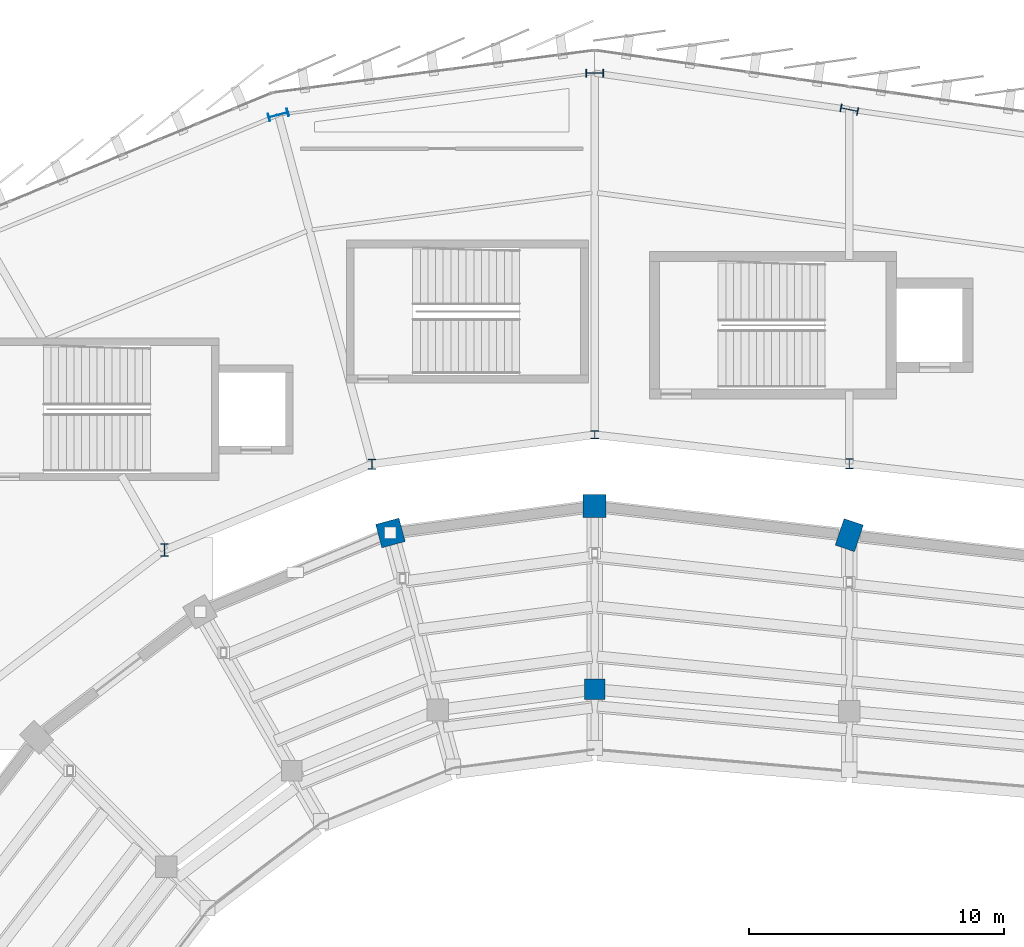
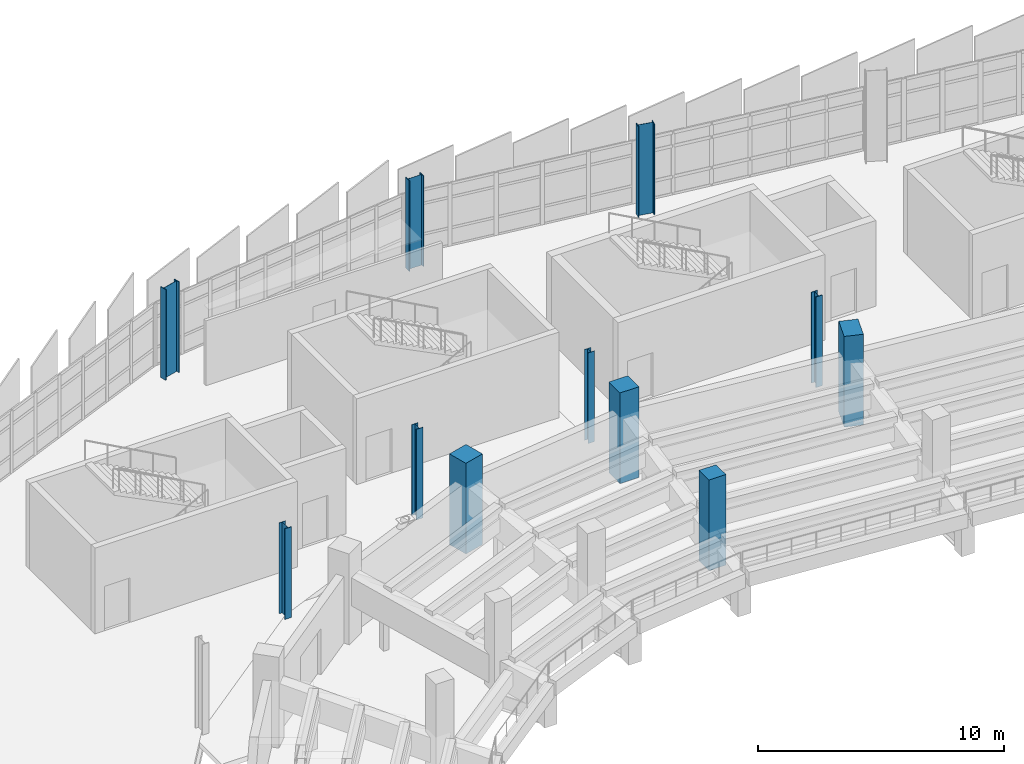
# One storey, part 15 of 120: 11 columns.
"""IFC4 building model written with IfcOpenShell, lengths in metres."""

from ifc_helpers import new_model, si_unit, direction, frame, origin, origin_2d, place, context, subcontext, project, spatial, rectangle, i_section, extrude, material, material_profile, profile_set, type_object, element, save


model = new_model("IFC4")

# Units and contexts
model_context = context("Model", 3, precision=1e-05, world=origin(), true_north=direction((0.0, 1.0)))
body_context = subcontext(model_context, "Body", "Model", "MODEL_VIEW")
ifc_project = project(units=[si_unit("LENGTHUNIT", "METRE"), si_unit("AREAUNIT", "SQUARE_METRE"), si_unit("VOLUMEUNIT", "CUBIC_METRE"), si_unit("PLANEANGLEUNIT", "RADIAN"), si_unit("MASSUNIT", "GRAM", prefix="KILO")], contexts=[model_context])

# Site, building, storey
site_placement = place(None, origin())
site = spatial("IfcSite", under=ifc_project, at=site_placement, CompositionType="ELEMENT")
building_placement = place(site_placement, origin())
building = spatial("IfcBuilding", under=site, at=building_placement, Name="Sohan Crest Arena", CompositionType="ELEMENT")
storey_placement = place(building_placement, frame((0.0, 0.0, 13.5)))
storey = spatial("IfcBuildingStorey", under=building, at=storey_placement, Name="L03", CompositionType="ELEMENT", Elevation=13.5)

# Columns
ifc_material_1 = material(Name="Concrete C40/50", Category="concrete")
ifc_material_profile_1 = material_profile(ifc_material_1, rectangle(XDim=0.800048828125, YDim=0.800048828125, at=origin_2d()), Name="RC 800x800")
ifc_profile_set_1 = profile_set([ifc_material_profile_1], Name="Concrete C40/50")
column_type_1 = type_object("IfcColumnType", Name="STR-COL-C05", PredefinedType="COLUMN", material=ifc_profile_set_1)
column_1_placement = place(storey_placement, frame((98.0, 101.800048828125, 0.0), z_axis=(0.0, 0.0, 1.0), x_axis=(1.0, 0.0, 0.0)))
element("IfcColumn", 1, at=column_1_placement, inside=storey, type_object=column_type_1, Name="Structural column COL-V1M-01-L03", PredefinedType="COLUMN", context=body_context, shape_type="SweptSolid", body=[
    extrude(rectangle(XDim=0.800048828125, YDim=0.800048828125, at=origin_2d()), origin(), (0.0, 0.0, 1.0), 4.5),
])
ifc_material_profile_2 = material_profile(ifc_material_1, rectangle(XDim=0.89990234375, YDim=0.89990234375, at=origin_2d()), Name="RC 900x900")
ifc_profile_set_2 = profile_set([ifc_material_profile_2], Name="Concrete C40/50")
column_type_2 = type_object("IfcColumnType", Name="STR-COL-C07", PredefinedType="COLUMN", material=ifc_profile_set_2)
column_2_placement = place(storey_placement, frame((98.0, 109.0, 0.0), z_axis=(0.0, 0.0, 1.0), x_axis=(0.0, 1.0, 0.0)))
element("IfcColumn", 2, at=column_2_placement, inside=storey, type_object=column_type_2, Name="Structural column COL-V1R-01-L03", PredefinedType="COLUMN", context=body_context, shape_type="SweptSolid", body=[
    extrude(rectangle(XDim=0.89990234375, YDim=0.89990234375, at=origin_2d()), origin(), (0.0, 0.0, 1.0), 4.5),
])
ifc_material_profile_3 = material_profile(ifc_material_1, rectangle(XDim=0.949951171875, YDim=0.949951171875, at=origin_2d()), Name="RC 950x950")
ifc_profile_set_3 = profile_set([ifc_material_profile_3], Name="Concrete C40/50")
column_type_3 = type_object("IfcColumnType", Name="STR-COL-C08", PredefinedType="COLUMN", material=ifc_profile_set_3)
column_3_placement = place(storey_placement, frame((89.97705078125, 107.944091796875, 0.0), z_axis=(0.0, 0.0, 1.0), x_axis=(-0.258819045103, 0.965925826289, 0.0)))
element("IfcColumn", 3, at=column_3_placement, inside=storey, type_object=column_type_3, Name="Structural column COL-V1R-02-L03", PredefinedType="COLUMN", context=body_context, shape_type="SweptSolid", body=[
    extrude(rectangle(XDim=0.949951171875, YDim=0.949951171875, at=origin_2d()), origin(), (0.0, 0.0, 1.0), 4.5),
])
ifc_material_profile_4 = material_profile(ifc_material_1, rectangle(XDim=1.10009765625, YDim=0.800048828125, at=origin_2d()), Name="RC 1100x800")
ifc_profile_set_4 = profile_set([ifc_material_profile_4], Name="Concrete C40/50")
column_type_4 = type_object("IfcColumnType", Name="STR-COL-C10", PredefinedType="COLUMN", material=ifc_profile_set_4)
column_4_placement = place(storey_placement, frame((108.0, 107.85693359375, 0.0), z_axis=(0.0, 0.0, 1.0), x_axis=(0.317304656405, 0.948323655206, 0.0)))
element("IfcColumn", 4, at=column_4_placement, inside=storey, type_object=column_type_4, Name="Structural column COL-V1R-34-L03", PredefinedType="COLUMN", context=body_context, shape_type="SweptSolid", body=[
    extrude(rectangle(XDim=1.10009765625, YDim=0.800048828125, at=origin_2d()), origin(), (0.0, 0.0, 1.0), 4.5),
])
ifc_material_2 = material(Name="Steel S355", Category="steel")
ifc_material_profile_5 = material_profile(ifc_material_2, i_section(OverallWidth=0.300048828125, OverallDepth=0.300048828125, WebThickness=0.010986328125, FlangeThickness=0.01904296875, at=origin_2d()), Name="HEB 300")
ifc_profile_set_5 = profile_set([ifc_material_profile_5], Name="Steel S355")
column_type_5 = type_object("IfcColumnType", Name="STR-COL-C17", PredefinedType="COLUMN", material=ifc_profile_set_5)
column_5_placement = place(storey_placement, frame((98.0, 111.800048828125, 0.0), z_axis=(0.0, 0.0, 1.0), x_axis=(1.0, 0.0, 0.0)))
element("IfcColumn", 5, at=column_5_placement, inside=storey, type_object=column_type_5, Name="Structural column COL-V2I-01-L03", PredefinedType="COLUMN", context=body_context, shape_type="SweptSolid", body=[
    extrude(i_section(OverallWidth=0.300048828125, OverallDepth=0.300048828125, WebThickness=0.010986328125, FlangeThickness=0.01904296875, at=origin_2d()), origin(), (0.0, 0.0, 1.0), 4.5),
])
ifc_material_profile_6 = material_profile(ifc_material_2, i_section(OverallWidth=0.300048828125, OverallDepth=0.39990234375, WebThickness=0.013427734375, FlangeThickness=0.02392578125, at=origin_2d()), Name="HEB 400")
ifc_profile_set_6 = profile_set([ifc_material_profile_6], Name="Steel S355")
column_type_6 = type_object("IfcColumnType", Name="STR-COL-C18", PredefinedType="COLUMN", material=ifc_profile_set_6)
for number, where, z_axis, x_axis, name in (
    (6, (89.251953125, 110.64794921875, 0.0), (0.0, 0.0, 1.0), (1.0, 0.0, 0.0), "Structural column COL-V2I-02-L03"),
    (7, (108.0, 110.656982421875, 0.0), (0.0, 0.0, 1.0), (1.0, 0.0, 0.0), "Structural column COL-V2I-34-L03"),
):
    element("IfcColumn", number, at=place(storey_placement, frame(where, z_axis=z_axis, x_axis=x_axis)), inside=storey, type_object=column_type_6, Name=name, PredefinedType="COLUMN", context=body_context, shape_type="SweptSolid", body=[
        extrude(i_section(OverallWidth=0.300048828125, OverallDepth=0.39990234375, WebThickness=0.013427734375, FlangeThickness=0.02392578125, at=origin_2d()), origin(), (0.0, 0.0, 1.0), 4.5),
    ])
ifc_material_profile_7 = material_profile(ifc_material_2, i_section(OverallWidth=0.300048828125, OverallDepth=0.5, WebThickness=0.014404296875, FlangeThickness=0.028076171875, at=origin_2d()), Name="HEB 500")
ifc_profile_set_7 = profile_set([ifc_material_profile_7], Name="Steel S355")
column_type_7 = type_object("IfcColumnType", Name="STR-COL-C19", PredefinedType="COLUMN", material=ifc_profile_set_7)
column_6_placement = place(storey_placement, frame((81.10009765625, 107.27197265625, 0.0), z_axis=(0.0, 0.0, 1.0), x_axis=(1.0, 0.0, 0.0)))
element("IfcColumn", 8, at=column_6_placement, inside=storey, type_object=column_type_7, Name="Structural column COL-V2I-03-L03", PredefinedType="COLUMN", context=body_context, shape_type="SweptSolid", body=[
    extrude(i_section(OverallWidth=0.300048828125, OverallDepth=0.5, WebThickness=0.014404296875, FlangeThickness=0.028076171875, at=origin_2d()), origin(), (0.0, 0.0, 1.0), 4.5),
])
ifc_material_profile_8 = material_profile(ifc_material_2, i_section(OverallWidth=0.300048828125, OverallDepth=0.699951171875, WebThickness=0.01708984375, FlangeThickness=0.031982421875, at=origin_2d()), Name="HEB 700")
ifc_profile_set_8 = profile_set([ifc_material_profile_8], Name="Steel S355")
column_type_8 = type_object("IfcColumnType", Name="STR-COL-C21", PredefinedType="COLUMN", material=ifc_profile_set_8)
for number, where, z_axis, x_axis, name in (
    (9, (98.0, 126.0, 0.0), (0.0, 0.0, 1.0), (0.0, 1.0, 0.0), "Structural column COL-V2O-01-L03"),
    (10, (108.0, 124.571044921875, 0.0), (0.0, 0.0, 1.0), (0.209618562904, 0.977783236759, 0.0), "Structural column COL-V2O-34-L03"),
):
    element("IfcColumn", number, at=place(storey_placement, frame(where, z_axis=z_axis, x_axis=x_axis)), inside=storey, type_object=column_type_8, Name=name, PredefinedType="COLUMN", context=body_context, shape_type="SweptSolid", body=[
        extrude(i_section(OverallWidth=0.300048828125, OverallDepth=0.699951171875, WebThickness=0.01708984375, FlangeThickness=0.031982421875, at=origin_2d()), origin(), (0.0, 0.0, 1.0), 4.5),
    ])
ifc_material_profile_9 = material_profile(ifc_material_2, i_section(OverallWidth=0.300048828125, OverallDepth=0.800048828125, WebThickness=0.017578125, FlangeThickness=0.032958984375, at=origin_2d()), Name="HEB 800")
ifc_profile_set_9 = profile_set([ifc_material_profile_9], Name="Steel S355")
column_type_9 = type_object("IfcColumnType", Name="STR-COL-C22", PredefinedType="COLUMN", material=ifc_profile_set_9)
column_7_placement = place(storey_placement, frame((85.576904296875, 124.364013671875, 0.0), z_axis=(0.0, 0.0, 1.0), x_axis=(-0.258819045103, 0.965925826289, 0.0)))
element("IfcColumn", 11, at=column_7_placement, inside=storey, type_object=column_type_9, Name="Structural column COL-V2O-02-L03", PredefinedType="COLUMN", context=body_context, shape_type="SweptSolid", body=[
    extrude(i_section(OverallWidth=0.300048828125, OverallDepth=0.800048828125, WebThickness=0.017578125, FlangeThickness=0.032958984375, at=origin_2d()), origin(), (0.0, 0.0, 1.0), 4.5),
])

save(model, "model.ifc")
